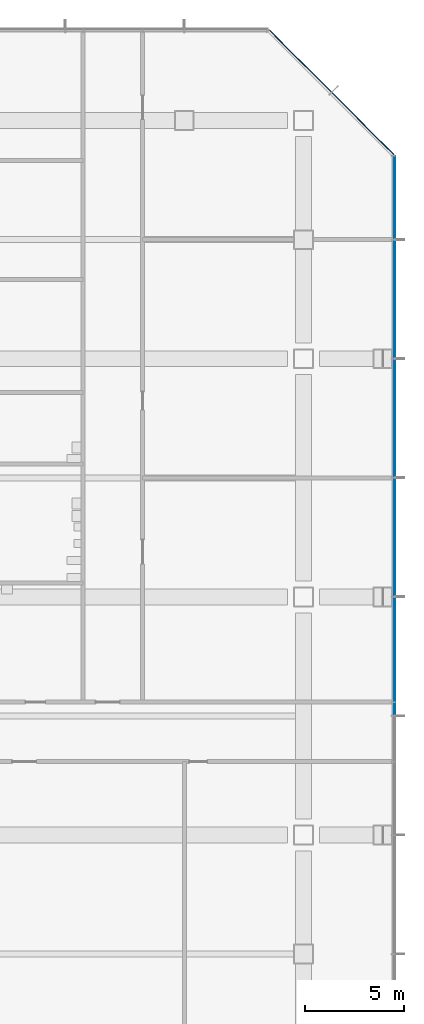
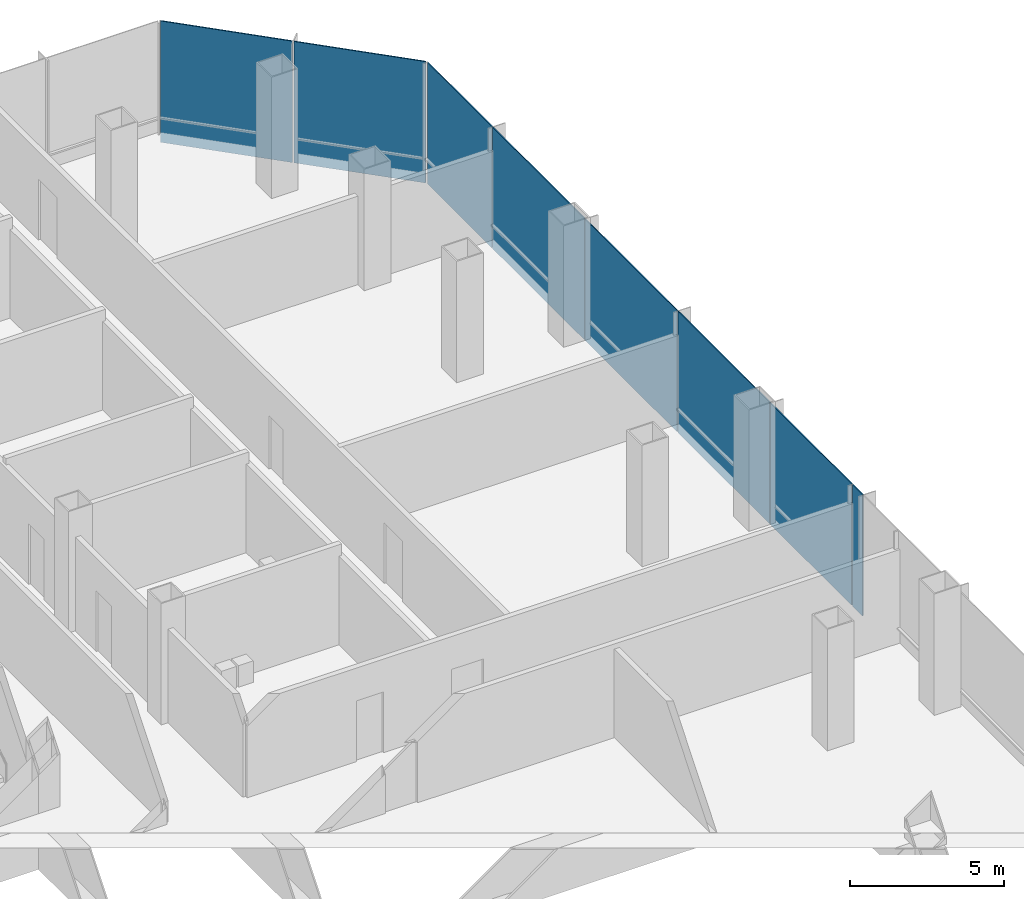
# One storey, part 21 of 34: 8 plates, 2 elements without a shape of their own.
"""IFC4 building model written with IfcOpenShell, lengths in metres."""

import ifcopenshell
import ifcopenshell.guid

model = None  # the IFC model being written
_history = None  # IfcOwnerHistory: only IFC2X3 demands one
_inside = {}  # id of a spatial element -> (the spatial element, [elements in it])
_under = {}  # id of a project, library or spatial element -> (it, [spatial elements below it])
_declared = {}  # id of a project -> (the project, [libraries it declares])
_typed = {}  # id of a type object -> (the type object, [elements of that type])
_made_of = {}  # id of a material, layer set ... -> (it, [elements and type objects made of it])


def new_model(schema):
    """Start an empty IFC model of exactly this schema.

    Asked for "IFC4X3", IfcOpenShell would pick the latest addendum, in which some entities
    have other attributes; the version numbers below select the first issue.
    IFC2X3 requires an IfcOwnerHistory on every rooted entity: one is made here for all.
    """
    global model, _history
    if schema == "IFC4X3":
        model = ifcopenshell.file(schema_version=(4, 3, 0, 0))
    else:
        model = ifcopenshell.file(schema=schema)
    _inside.clear()
    _under.clear()
    _declared.clear()
    _typed.clear()
    _made_of.clear()
    _history = None
    if model.schema == "IFC2X3":
        org = make("IfcOrganization", Name="unknown")
        user = make(
            "IfcPersonAndOrganization",
            ThePerson=make("IfcPerson", FamilyName="unknown"),
            TheOrganization=org,
        )
        app = make(
            "IfcApplication",
            ApplicationDeveloper=org,
            Version="unknown",
            ApplicationFullName="unknown",
            ApplicationIdentifier="unknown",
        )
        _history = make(
            "IfcOwnerHistory",
            OwningUser=user,
            OwningApplication=app,
            ChangeAction="ADDED",
            CreationDate=0,
        )
    return model


def make(cls, **values):
    """One entity of the class cls with the attributes given. An attribute that is None is left unset."""
    return model.create_entity(
        cls, **{name: value for name, value in values.items() if value is not None}
    )


def rooted(cls, **values):
    """An entity with a GlobalId (a new one), such as an element, a storey or a relation."""
    return make(cls, GlobalId=ifcopenshell.guid.new(), OwnerHistory=_history, **values)


def si_unit(unit_type, name, prefix=None):
    """IfcSIUnit, for example si_unit("LENGTHUNIT", "METRE", prefix="MILLI")."""
    return make("IfcSIUnit", UnitType=unit_type, Prefix=prefix, Name=name)


def assignment(units):
    """IfcUnitAssignment: the units of a project."""
    return None if units is None else make("IfcUnitAssignment", Units=units)


def point(xyz):
    """IfcCartesianPoint."""
    return None if xyz is None else make("IfcCartesianPoint", Coordinates=xyz)


def direction(xyz):
    """IfcDirection."""
    return None if xyz is None else make("IfcDirection", DirectionRatios=xyz)


def frame(location, z_axis=None, x_axis=None):
    """IfcAxis2Placement3D, a coordinate frame: its origin and axes. An axis left out is left unset."""
    return make(
        "IfcAxis2Placement3D",
        Location=point(location),
        Axis=direction(z_axis),
        RefDirection=direction(x_axis),
    )


def frame_2d(location, x_axis=None):
    """IfcAxis2Placement2D, a coordinate frame in the plane: its origin and x axis."""
    return make(
        "IfcAxis2Placement2D", Location=point(location), RefDirection=direction(x_axis)
    )


def origin():
    """The frame at (0, 0, 0) with its axes left unset."""
    return frame((0.0, 0.0, 0.0))


def origin_2d():
    """The frame at (0, 0) in the plane with its x axis left unset."""
    return frame_2d((0.0, 0.0))


def place(relative_to, where):
    """IfcLocalPlacement: puts the frame where relative to a parent placement (None: the world)."""
    return make(
        "IfcLocalPlacement", PlacementRelTo=relative_to, RelativePlacement=where
    )


def context(
    kind, dimensions, precision=None, world=None, true_north=None, identifier=None
):
    """IfcGeometricRepresentationContext, for example the 3D "Model" context."""
    return make(
        "IfcGeometricRepresentationContext",
        ContextIdentifier=identifier,
        ContextType=kind,
        CoordinateSpaceDimension=dimensions,
        Precision=precision,
        WorldCoordinateSystem=world,
        TrueNorth=true_north,
    )


def subcontext(parent, identifier, kind, view, scale=None):
    """IfcGeometricRepresentationSubContext, for example "Body" below "Model"."""
    return make(
        "IfcGeometricRepresentationSubContext",
        ContextIdentifier=identifier,
        ContextType=kind,
        ParentContext=parent,
        TargetScale=scale,
        TargetView=view,
    )


def project(units=None, contexts=None):
    """IfcProject with its units and contexts."""
    return rooted(
        "IfcProject",
        Name="project",
        RepresentationContexts=contexts,
        UnitsInContext=assignment(units),
    )


def spatial(cls, under=None, at=None, **own):
    """A site, building, storey or space (cls), placed at a placement, below another one or the project."""
    s = rooted(cls, ObjectPlacement=at, **own)
    if under is not None:
        _under.setdefault(under.id(), (under, []))[1].append(s)
    return s


def profile(cls, at=None, kind="AREA", **sizes):
    """A parametric profile (cls). Its sizes go by their IFC names, for example OverallWidth=200.0."""
    return make(cls, ProfileType=kind, Position=at, **sizes)


def rectangle(**sizes):
    """IfcRectangleProfileDef."""
    return profile("IfcRectangleProfileDef", **sizes)


def extrude(swept, where, along, depth):
    """IfcExtrudedAreaSolid: the profile swept, set in the frame where, extruded along a direction by depth."""
    return make(
        "IfcExtrudedAreaSolid",
        SweptArea=swept,
        Position=where,
        ExtrudedDirection=direction(along),
        Depth=depth,
    )


def shape(context_of_items, identifier, shape_type, items):
    """IfcShapeRepresentation: the items that make up one representation, for example the "Body"."""
    return make(
        "IfcShapeRepresentation",
        ContextOfItems=context_of_items,
        RepresentationIdentifier=identifier,
        RepresentationType=shape_type,
        Items=items,
    )


def material(Name=None, Category=None):
    """IfcMaterial."""
    return make("IfcMaterial", Name=Name, Category=Category)


def layer(
    of_material, thickness, ventilated=None, Name=None, Category=None, Priority=None
):
    """IfcMaterialLayer: one layer of a wall or slab, of a material (None: an air gap)."""
    return make(
        "IfcMaterialLayer",
        Material=of_material,
        LayerThickness=thickness,
        IsVentilated=ventilated,
        Name=Name,
        Category=Category,
        Priority=Priority,
    )


def layer_set(layers, Name=None):
    """IfcMaterialLayerSet."""
    return make("IfcMaterialLayerSet", MaterialLayers=layers, LayerSetName=Name)


def made_of(thing, what):
    """Note that an element or type object is made of a material, layer set ...; save() writes the relation."""
    if what is not None:
        _made_of.setdefault(what.id(), (what, []))[1].append(thing)
    return thing


def type_object(cls, material=None, **own):
    """A type object (cls), such as IfcWallType, which elements share."""
    return made_of(rooted(cls, **own), material)


def element(
    cls,
    number,
    at=None,
    inside=None,
    cuts=None,
    type_object=None,
    material=None,
    context=None,
    identifier="Body",
    shape_type=None,
    held_by="IfcProductDefinitionShape",
    body=None,
    shapes=None,
    **own,
):
    """One element of the class cls, such as IfcWall. Its Tag is "e" and its number.

    at: its placement. inside: the storey or other place that contains it. cuts: it is an
    opening in that element (IfcRelVoidsElement). A single representation is given by context,
    identifier, shape_type and body (its items); several are given by shapes. held_by: the class
    of the entity that holds the representations. save() writes the other relations.
    """
    e = rooted(cls, Tag="e%d" % number, ObjectPlacement=at, **own)
    if body is not None:
        shapes = [shape(context, identifier, shape_type, body)]
    if shapes is not None:
        e.Representation = make(held_by, Representations=shapes)
    if inside is not None:
        _inside.setdefault(inside.id(), (inside, []))[1].append(e)
    if cuts is not None:
        rooted(
            "IfcRelVoidsElement", RelatingBuildingElement=cuts, RelatedOpeningElement=e
        )
    if type_object is not None:
        _typed.setdefault(type_object.id(), (type_object, []))[1].append(e)
    return made_of(e, material)


def aggregate(whole, parts):
    """IfcRelAggregates: a whole, such as a stair, and the parts it consists of."""
    return rooted("IfcRelAggregates", RelatingObject=whole, RelatedObjects=parts)


def save(model, path):
    """Write the relations noted so far, then the file.

    IfcRelAggregates (storeys below a building ...), IfcRelContainedInSpatialStructure (elements
    in a storey), IfcRelDefinesByType, IfcRelAssociatesMaterial and IfcRelDeclares: one each for
    every whole, place, type object, material and project.
    """
    for whole, parts in _under.values():
        aggregate(whole, parts)
    for where, things in _inside.values():
        rooted(
            "IfcRelContainedInSpatialStructure",
            RelatedElements=things,
            RelatingStructure=where,
        )
    for kind, things in _typed.values():
        rooted("IfcRelDefinesByType", RelatedObjects=things, RelatingType=kind)
    for what, things in _made_of.values():
        rooted("IfcRelAssociatesMaterial", RelatedObjects=things, RelatingMaterial=what)
    for by, libraries in _declared.values():
        rooted("IfcRelDeclares", RelatingContext=by, RelatedDefinitions=libraries)
    model.write(path)


model = new_model("IFC4")

# Units and contexts
model_context = context("Model", 3, precision=1e-05, world=origin(), true_north=direction((0.0, 1.0)))
body_context = subcontext(model_context, "Body", "Model", "MODEL_VIEW")
ifc_project = project(units=[si_unit("LENGTHUNIT", "METRE"), si_unit("AREAUNIT", "SQUARE_METRE"), si_unit("VOLUMEUNIT", "CUBIC_METRE"), si_unit("PLANEANGLEUNIT", "RADIAN"), si_unit("MASSUNIT", "GRAM", prefix="KILO")], contexts=[model_context])

# Site, building, storey
site_placement = place(None, origin())
site = spatial("IfcSite", under=ifc_project, at=site_placement, CompositionType="ELEMENT")
building_placement = place(site_placement, origin())
building = spatial("IfcBuilding", under=site, at=building_placement, Name="Sorahane Residences", CompositionType="ELEMENT")
storey_placement = place(building_placement, frame((0.0, 0.0, 20.39990234375)))
storey = spatial("IfcBuildingStorey", under=building, at=storey_placement, Name="L02", CompositionType="ELEMENT", Elevation=20.39990234375)

# Curtain wall, plates
ifc_material_1 = material(Name="Dark low-e glass and black anodised aluminium", Category="aluminium")
curtain_wall_type = type_object("IfcCurtainWallType", Name="Curtain wall CW-3 Podium unitised wall", PredefinedType="NOTDEFINED", material=ifc_material_1)
curtain_wall_1_placement = place(storey_placement, origin())
curtain_wall_1 = element("IfcCurtainWall", 1, at=curtain_wall_1_placement, inside=storey, type_object=curtain_wall_type, Name="CW-3 curtain wall L02 E1", PredefinedType="NOTDEFINED")
ifc_material_2 = material(Name="Dark low-e glass with black ceramic frit", Category="glass")
ifc_layer = layer(ifc_material_2, 0.0400390625)
ifc_layer_set = layer_set([ifc_layer], Name="Curtain wall glass panel dark low-e podium with black frit spandrel band")
plate_type = type_object("IfcPlateType", Name="Curtain wall glass panel dark low-e podium with black frit spandrel band", PredefinedType="CURTAIN_PANEL", material=ifc_layer_set)
plate_1_placement = place(storey_placement, frame((70.60009765625, 18.35009765625, -0.39990234375), z_axis=(0.0, 0.0, 1.0), x_axis=(0.0, 1.0, 0.0)))
plate_1 = element("IfcPlate", 2, at=plate_1_placement, type_object=plate_type, Name="CW-3 glass panel L02 E1.5", PredefinedType="CURTAIN_PANEL", context=body_context, shape_type="SweptSolid", body=[
    extrude(rectangle(XDim=0.64990234375, YDim=0.0400390625, at=origin_2d()), origin(), (0.0, 0.0, 1.0), 4.800048828125),
])
plate_2_placement = place(storey_placement, frame((70.60009765625, 21.35009765625, -0.39990234375), z_axis=(0.0, 0.0, 1.0), x_axis=(0.0, 1.0, 0.0)))
plate_2 = element("IfcPlate", 3, at=plate_2_placement, type_object=plate_type, Name="CW-3 glass panel L02 E1.6", PredefinedType="CURTAIN_PANEL", context=body_context, shape_type="SweptSolid", body=[
    extrude(rectangle(XDim=5.25, YDim=0.0400390625, at=origin_2d()), origin(), (0.0, 0.0, 1.0), 4.800048828125),
])
plate_3_placement = place(storey_placement, frame((70.60009765625, 27.0, -0.39990234375), z_axis=(0.0, 0.0, 1.0), x_axis=(0.0, 1.0, 0.0)))
plate_3 = element("IfcPlate", 4, at=plate_3_placement, type_object=plate_type, Name="CW-3 glass panel L02 E1.7", PredefinedType="CURTAIN_PANEL", context=body_context, shape_type="SweptSolid", body=[
    extrude(rectangle(XDim=5.949951171875, YDim=0.0400390625, at=origin_2d()), origin(), (0.0, 0.0, 1.0), 4.800048828125),
])
plate_4_placement = place(storey_placement, frame((70.60009765625, 33.0, -0.39990234375), z_axis=(0.0, 0.0, 1.0), x_axis=(0.0, 1.0, 0.0)))
plate_4 = element("IfcPlate", 5, at=plate_4_placement, type_object=plate_type, Name="CW-3 glass panel L02 E1.8", PredefinedType="CURTAIN_PANEL", context=body_context, shape_type="SweptSolid", body=[
    extrude(rectangle(XDim=5.949951171875, YDim=0.0400390625, at=origin_2d()), origin(), (0.0, 0.0, 1.0), 4.800048828125),
])
plate_5_placement = place(storey_placement, frame((70.60009765625, 39.0, -0.39990234375), z_axis=(0.0, 0.0, 1.0), x_axis=(0.0, 1.0, 0.0)))
plate_5 = element("IfcPlate", 6, at=plate_5_placement, type_object=plate_type, Name="CW-3 glass panel L02 E1.9", PredefinedType="CURTAIN_PANEL", context=body_context, shape_type="SweptSolid", body=[
    extrude(rectangle(XDim=5.949951171875, YDim=0.0400390625, at=origin_2d()), origin(), (0.0, 0.0, 1.0), 4.800048828125),
])
plate_6_placement = place(storey_placement, frame((70.60009765625, 44.11181640625, -0.39990234375), z_axis=(0.0, 0.0, 1.0), x_axis=(0.0, 1.0, 0.0)))
plate_6 = element("IfcPlate", 7, at=plate_6_placement, type_object=plate_type, Name="CW-3 glass panel L02 E1.10", PredefinedType="CURTAIN_PANEL", context=body_context, shape_type="SweptSolid", body=[
    extrude(rectangle(XDim=4.173583984375, YDim=0.0400390625, at=origin_2d()), origin(), (0.0, 0.0, 1.0), 4.800048828125),
])
aggregate(curtain_wall_1, [plate_1, plate_2, plate_3, plate_4, plate_5, plate_6])

curtain_wall_2_placement = place(storey_placement, origin())
curtain_wall_2 = element("IfcCurtainWall", 8, at=curtain_wall_2_placement, inside=storey, type_object=curtain_wall_type, Name="CW-3 curtain wall L02 NE1", PredefinedType="NOTDEFINED")
plate_7_placement = place(storey_placement, frame((69.003173828125, 47.84521484375, -0.39990234375), z_axis=(0.0, 0.0, 1.0), x_axis=(-0.707106781187, 0.707106781187, 0.0)))
plate_7 = element("IfcPlate", 9, at=plate_7_placement, type_object=plate_type, Name="CW-3 glass panel L02 NE1.1", PredefinedType="CURTAIN_PANEL", context=body_context, shape_type="SweptSolid", body=[
    extrude(rectangle(XDim=4.416259765625, YDim=0.0400390625, at=origin_2d()), origin(), (0.0, 0.0, 1.0), 4.800048828125),
])
plate_8_placement = place(storey_placement, frame((65.84521484375, 51.003173828125, -0.39990234375), z_axis=(0.0, 0.0, 1.0), x_axis=(-0.707106781187, 0.707106781187, 0.0)))
plate_8 = element("IfcPlate", 10, at=plate_8_placement, type_object=plate_type, Name="CW-3 glass panel L02 NE1.2", PredefinedType="CURTAIN_PANEL", context=body_context, shape_type="SweptSolid", body=[
    extrude(rectangle(XDim=4.416259765625, YDim=0.0400390625, at=origin_2d()), origin(), (0.0, 0.0, 1.0), 4.800048828125),
])
aggregate(curtain_wall_2, [plate_7, plate_8])

save(model, "model.ifc")
